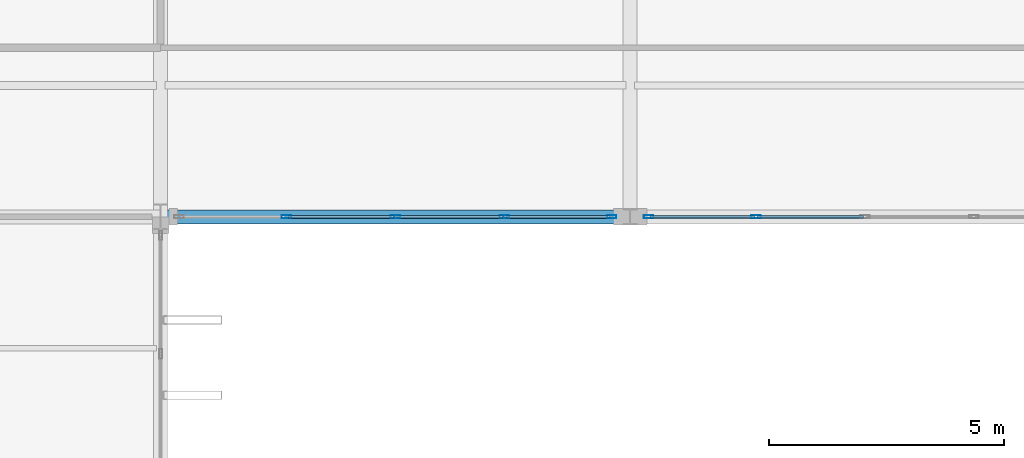
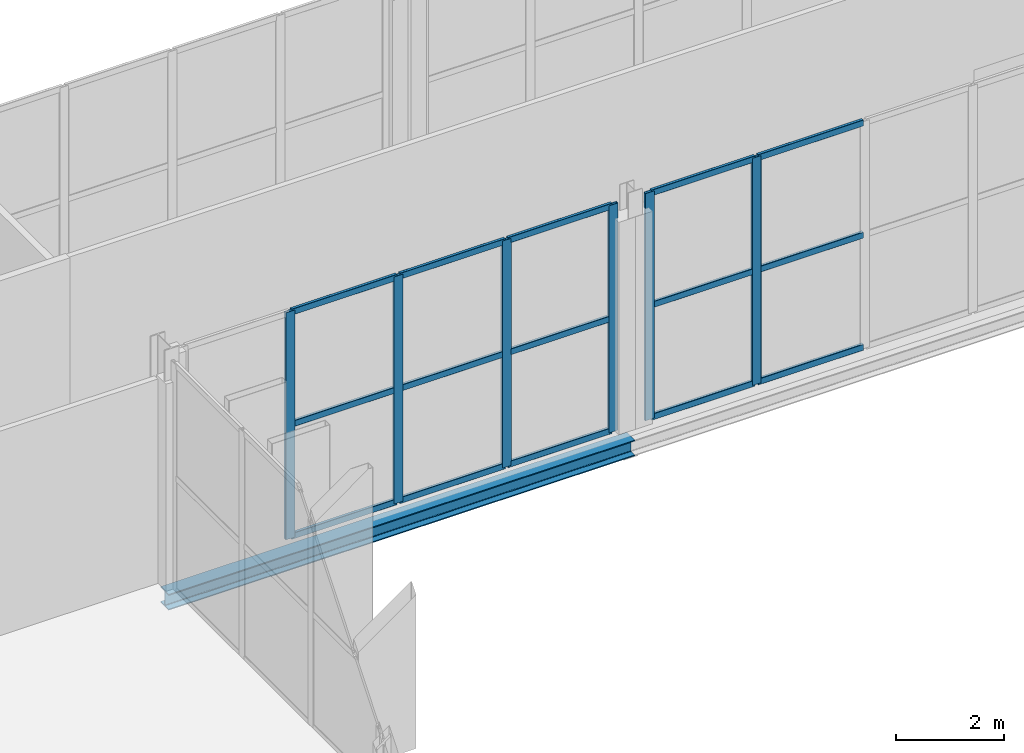
# One storey, part 83 of 147: 21 members, 1 beam, 2 elements without a shape of their own.
"""IFC4 building model written with IfcOpenShell, lengths in metres."""

from ifc_helpers import new_model, si_unit, direction, frame, origin, origin_2d, place, context, subcontext, project, spatial, hollow_rectangle, i_section, extrude, material, layer, layer_set, material_profile, profile_set, type_object, element, aggregate, save


model = new_model("IFC4")

# Units and contexts
model_context = context("Model", 3, precision=1e-05, world=origin(), true_north=direction((0.0, 1.0)))
body_context = subcontext(model_context, "Body", "Model", "MODEL_VIEW")
ifc_project = project(units=[si_unit("LENGTHUNIT", "METRE"), si_unit("AREAUNIT", "SQUARE_METRE"), si_unit("VOLUMEUNIT", "CUBIC_METRE"), si_unit("PLANEANGLEUNIT", "RADIAN"), si_unit("MASSUNIT", "GRAM", prefix="KILO")], contexts=[model_context])

# Site, building, storey
site_placement = place(None, origin())
site = spatial("IfcSite", under=ifc_project, at=site_placement, CompositionType="ELEMENT")
building_placement = place(site_placement, origin())
building = spatial("IfcBuilding", under=site, at=building_placement, Name="Vekula Escarpment Museum", CompositionType="ELEMENT")
storey_placement = place(building_placement, frame((0.0, 0.0, 7.800048828125)))
storey = spatial("IfcBuildingStorey", under=building, at=storey_placement, Name="L02", CompositionType="ELEMENT", Elevation=7.800048828125)

# Beam
ifc_material_1 = material(Name="Steel S355", Category="steel")
ifc_material_profile_1 = material_profile(ifc_material_1, i_section(OverallWidth=0.300048828125, OverallDepth=0.360107421875, WebThickness=0.012451171875, FlangeThickness=0.0224609375, FilletRadius=0.027099609375, at=origin_2d()), Name="HEB 360")
ifc_profile_set_1 = profile_set([ifc_material_profile_1], Name="Steel S355")
beam_type = type_object("IfcBeamType", Name="BM-GIRD-HEB360", PredefinedType="BEAM", material=ifc_profile_set_1)
beam_placement = place(storey_placement, frame((126.0, 68.0, -0.43994140625), z_axis=(1.0, 0.0, 0.0), x_axis=(0.0, 1.0, 0.0)))
element("IfcBeam", 1, at=beam_placement, inside=storey, type_object=beam_type, Name="Beam X L02 0901", PredefinedType="BEAM", context=body_context, shape_type="SweptSolid", body=[
    extrude(i_section(OverallWidth=0.300048828125, OverallDepth=0.360107421875, WebThickness=0.012451171875, FlangeThickness=0.0224609375, FilletRadius=0.027099609375, at=origin_2d()), origin(), (0.0, 0.0, 1.0), 10.0),
])

# Curtain wall, members
ifc_material_2 = material(Name="Aluminium thermally broken framing", Category="aluminium")
ifc_layer_1 = layer(ifc_material_2, 0.199951171875)
ifc_layer_set_1 = layer_set([ifc_layer_1], Name="Aluminium thermally broken framing")
curtain_wall_type_1 = type_object("IfcCurtainWallType", Name="CW-SYS-03", PredefinedType="NOTDEFINED", material=ifc_layer_set_1)
curtain_wall_1_placement = place(storey_placement, origin())
curtain_wall_1 = element("IfcCurtainWall", 2, at=curtain_wall_1_placement, inside=storey, type_object=curtain_wall_type_1, Name="Curtain Wall CW-L02-063", PredefinedType="NOTDEFINED")
ifc_material_3 = material(Name="Aluminium anodized mullion", Category="aluminium")
ifc_material_profile_2 = material_profile(ifc_material_3, hollow_rectangle(XDim=0.06494140625, YDim=0.199951171875, WallThickness=0.00390625, InnerFilletRadius=0.00390625, OuterFilletRadius=0.008056640625, at=origin_2d()), Name="ALU 200x65x4")
ifc_profile_set_2 = profile_set([ifc_material_profile_2], Name="Aluminium anodized mullion")
member_type_1 = type_object("IfcMemberType", Name="CW-MUL-200", PredefinedType="MULLION", material=ifc_profile_set_2)
member_1_placement = place(storey_placement, frame((128.679931640625, 68.0, 0.0), z_axis=(0.0, 0.0, 1.0), x_axis=(0.0, 1.0, 0.0)))
member_1 = element("IfcMember", 3, at=member_1_placement, type_object=member_type_1, Name="CW-03 mullion 2", PredefinedType="MULLION", context=body_context, shape_type="SweptSolid", body=[
    extrude(hollow_rectangle(XDim=0.06494140625, YDim=0.199951171875, WallThickness=0.00390625, InnerFilletRadius=0.00390625, OuterFilletRadius=0.008056640625, at=origin_2d()), origin(), (0.0, 0.0, 1.0), 5.14990234375),
])
member_2_placement = place(storey_placement, frame((131.0, 68.0, 0.0), z_axis=(0.0, 0.0, 1.0), x_axis=(0.0, 1.0, 0.0)))
member_2 = element("IfcMember", 4, at=member_2_placement, type_object=member_type_1, Name="CW-03 mullion 3", PredefinedType="MULLION", context=body_context, shape_type="SweptSolid", body=[
    extrude(hollow_rectangle(XDim=0.06494140625, YDim=0.199951171875, WallThickness=0.00390625, InnerFilletRadius=0.00390625, OuterFilletRadius=0.008056640625, at=origin_2d()), origin(), (0.0, 0.0, 1.0), 5.14990234375),
])
member_3_placement = place(storey_placement, frame((133.320068359375, 68.0, 0.0), z_axis=(0.0, 0.0, 1.0), x_axis=(0.0, 1.0, 0.0)))
member_3 = element("IfcMember", 5, at=member_3_placement, type_object=member_type_1, Name="CW-03 mullion 4", PredefinedType="MULLION", context=body_context, shape_type="SweptSolid", body=[
    extrude(hollow_rectangle(XDim=0.06494140625, YDim=0.199951171875, WallThickness=0.00390625, InnerFilletRadius=0.00390625, OuterFilletRadius=0.008056640625, at=origin_2d()), origin(), (0.0, 0.0, 1.0), 5.14990234375),
])
member_4_placement = place(storey_placement, frame((135.607421875, 68.0, 0.0), z_axis=(0.0, 0.0, 1.0), x_axis=(0.0, 1.0, 0.0)))
member_4 = element("IfcMember", 6, at=member_4_placement, type_object=member_type_1, Name="CW-03 mullion 5", PredefinedType="MULLION", context=body_context, shape_type="SweptSolid", body=[
    extrude(hollow_rectangle(XDim=0.06494140625, YDim=0.199951171875, WallThickness=0.00390625, InnerFilletRadius=0.00390625, OuterFilletRadius=0.008056640625, at=origin_2d()), origin(), (0.0, 0.0, 1.0), 5.14990234375),
])

ifc_material_4 = material(Name="Aluminium thermally broken framing", Category="aluminium")
ifc_layer_2 = layer(ifc_material_4, 0.199951171875)
ifc_layer_set_2 = layer_set([ifc_layer_2], Name="Aluminium thermally broken framing")
curtain_wall_type_2 = type_object("IfcCurtainWallType", Name="CW-SYS-04", PredefinedType="NOTDEFINED", material=ifc_layer_set_2)
curtain_wall_2_placement = place(storey_placement, origin())
curtain_wall_2 = element("IfcCurtainWall", 7, at=curtain_wall_2_placement, inside=storey, type_object=curtain_wall_type_2, Name="Curtain Wall CW-L02-064", PredefinedType="NOTDEFINED")
member_5_placement = place(storey_placement, frame((136.392578125, 68.0, 0.0), z_axis=(0.0, 0.0, 1.0), x_axis=(0.0, 1.0, 0.0)))
member_5 = element("IfcMember", 8, at=member_5_placement, type_object=member_type_1, Name="CW-04 mullion 1", PredefinedType="MULLION", context=body_context, shape_type="SweptSolid", body=[
    extrude(hollow_rectangle(XDim=0.06494140625, YDim=0.199951171875, WallThickness=0.00390625, InnerFilletRadius=0.00390625, OuterFilletRadius=0.008056640625, at=origin_2d()), origin(), (0.0, 0.0, 1.0), 5.14990234375),
])
member_6_placement = place(storey_placement, frame((138.679931640625, 68.0, 0.0), z_axis=(0.0, 0.0, 1.0), x_axis=(0.0, 1.0, 0.0)))
member_6 = element("IfcMember", 9, at=member_6_placement, type_object=member_type_1, Name="CW-04 mullion 2", PredefinedType="MULLION", context=body_context, shape_type="SweptSolid", body=[
    extrude(hollow_rectangle(XDim=0.06494140625, YDim=0.199951171875, WallThickness=0.00390625, InnerFilletRadius=0.00390625, OuterFilletRadius=0.008056640625, at=origin_2d()), origin(), (0.0, 0.0, 1.0), 5.14990234375),
])

# Member
ifc_material_5 = material(Name="Aluminium anodized transom", Category="aluminium")
ifc_material_profile_3 = material_profile(ifc_material_5, hollow_rectangle(XDim=0.06494140625, YDim=0.139892578125, WallThickness=0.00390625, InnerFilletRadius=0.00390625, OuterFilletRadius=0.008056640625, at=origin_2d()), Name="ALU 140x65x4")
ifc_profile_set_3 = profile_set([ifc_material_profile_3], Name="Aluminium anodized transom")
member_type_2 = type_object("IfcMemberType", Name="CW-TRN-140", PredefinedType="USERDEFINED", material=ifc_profile_set_3)
member_7_placement = place(storey_placement, frame((128.71240234375, 68.0, 0.032470703125), z_axis=(1.0, 0.0, 0.0), x_axis=(0.0, 1.0, 0.0)))
member_7 = element("IfcMember", 10, at=member_7_placement, type_object=member_type_2, Name="CW-03 transom 2.1", ObjectType="TRANSOM", PredefinedType="USERDEFINED", context=body_context, shape_type="SweptSolid", body=[
    extrude(hollow_rectangle(XDim=0.06494140625, YDim=0.139892578125, WallThickness=0.00390625, InnerFilletRadius=0.00390625, OuterFilletRadius=0.008056640625, at=origin_2d()), origin(), (0.0, 0.0, 1.0), 2.255126953125),
])

member_8_placement = place(storey_placement, frame((128.71240234375, 68.0, 2.574951171875), z_axis=(1.0, 0.0, 0.0), x_axis=(0.0, 1.0, 0.0)))
member_8 = element("IfcMember", 11, at=member_8_placement, type_object=member_type_2, Name="CW-03 transom 2.2", ObjectType="TRANSOM", PredefinedType="USERDEFINED", context=body_context, shape_type="SweptSolid", body=[
    extrude(hollow_rectangle(XDim=0.06494140625, YDim=0.139892578125, WallThickness=0.00390625, InnerFilletRadius=0.00390625, OuterFilletRadius=0.008056640625, at=origin_2d()), origin(), (0.0, 0.0, 1.0), 2.255126953125),
])

member_9_placement = place(storey_placement, frame((128.71240234375, 68.0, 5.117431640625), z_axis=(1.0, 0.0, 0.0), x_axis=(0.0, 1.0, 0.0)))
member_9 = element("IfcMember", 12, at=member_9_placement, type_object=member_type_2, Name="CW-03 transom 2.3", ObjectType="TRANSOM", PredefinedType="USERDEFINED", context=body_context, shape_type="SweptSolid", body=[
    extrude(hollow_rectangle(XDim=0.06494140625, YDim=0.139892578125, WallThickness=0.00390625, InnerFilletRadius=0.00390625, OuterFilletRadius=0.008056640625, at=origin_2d()), origin(), (0.0, 0.0, 1.0), 2.255126953125),
])

member_10_placement = place(storey_placement, frame((131.032470703125, 68.0, 0.032470703125), z_axis=(1.0, 0.0, 0.0), x_axis=(0.0, 1.0, 0.0)))
member_10 = element("IfcMember", 13, at=member_10_placement, type_object=member_type_2, Name="CW-03 transom 3.1", ObjectType="TRANSOM", PredefinedType="USERDEFINED", context=body_context, shape_type="SweptSolid", body=[
    extrude(hollow_rectangle(XDim=0.06494140625, YDim=0.139892578125, WallThickness=0.00390625, InnerFilletRadius=0.00390625, OuterFilletRadius=0.008056640625, at=origin_2d()), origin(), (0.0, 0.0, 1.0), 2.255126953125),
])

member_11_placement = place(storey_placement, frame((131.032470703125, 68.0, 2.574951171875), z_axis=(1.0, 0.0, 0.0), x_axis=(0.0, 1.0, 0.0)))
member_11 = element("IfcMember", 14, at=member_11_placement, type_object=member_type_2, Name="CW-03 transom 3.2", ObjectType="TRANSOM", PredefinedType="USERDEFINED", context=body_context, shape_type="SweptSolid", body=[
    extrude(hollow_rectangle(XDim=0.06494140625, YDim=0.139892578125, WallThickness=0.00390625, InnerFilletRadius=0.00390625, OuterFilletRadius=0.008056640625, at=origin_2d()), origin(), (0.0, 0.0, 1.0), 2.255126953125),
])

member_12_placement = place(storey_placement, frame((131.032470703125, 68.0, 5.117431640625), z_axis=(1.0, 0.0, 0.0), x_axis=(0.0, 1.0, 0.0)))
member_12 = element("IfcMember", 15, at=member_12_placement, type_object=member_type_2, Name="CW-03 transom 3.3", ObjectType="TRANSOM", PredefinedType="USERDEFINED", context=body_context, shape_type="SweptSolid", body=[
    extrude(hollow_rectangle(XDim=0.06494140625, YDim=0.139892578125, WallThickness=0.00390625, InnerFilletRadius=0.00390625, OuterFilletRadius=0.008056640625, at=origin_2d()), origin(), (0.0, 0.0, 1.0), 2.255126953125),
])

member_13_placement = place(storey_placement, frame((133.3525390625, 68.0, 0.032470703125), z_axis=(1.0, 0.0, 0.0), x_axis=(0.0, 1.0, 0.0)))
member_13 = element("IfcMember", 16, at=member_13_placement, type_object=member_type_2, Name="CW-03 transom 4.1", ObjectType="TRANSOM", PredefinedType="USERDEFINED", context=body_context, shape_type="SweptSolid", body=[
    extrude(hollow_rectangle(XDim=0.06494140625, YDim=0.139892578125, WallThickness=0.00390625, InnerFilletRadius=0.00390625, OuterFilletRadius=0.008056640625, at=origin_2d()), origin(), (0.0, 0.0, 1.0), 2.222412109375),
])

member_14_placement = place(storey_placement, frame((133.3525390625, 68.0, 2.574951171875), z_axis=(1.0, 0.0, 0.0), x_axis=(0.0, 1.0, 0.0)))
member_14 = element("IfcMember", 17, at=member_14_placement, type_object=member_type_2, Name="CW-03 transom 4.2", ObjectType="TRANSOM", PredefinedType="USERDEFINED", context=body_context, shape_type="SweptSolid", body=[
    extrude(hollow_rectangle(XDim=0.06494140625, YDim=0.139892578125, WallThickness=0.00390625, InnerFilletRadius=0.00390625, OuterFilletRadius=0.008056640625, at=origin_2d()), origin(), (0.0, 0.0, 1.0), 2.222412109375),
])

member_15_placement = place(storey_placement, frame((133.3525390625, 68.0, 5.117431640625), z_axis=(1.0, 0.0, 0.0), x_axis=(0.0, 1.0, 0.0)))
member_15 = element("IfcMember", 18, at=member_15_placement, type_object=member_type_2, Name="CW-03 transom 4.3", ObjectType="TRANSOM", PredefinedType="USERDEFINED", context=body_context, shape_type="SweptSolid", body=[
    extrude(hollow_rectangle(XDim=0.06494140625, YDim=0.139892578125, WallThickness=0.00390625, InnerFilletRadius=0.00390625, OuterFilletRadius=0.008056640625, at=origin_2d()), origin(), (0.0, 0.0, 1.0), 2.222412109375),
])

aggregate(curtain_wall_1, [member_1, member_2, member_3, member_4, member_7, member_8, member_9, member_10, member_11, member_12, member_13, member_14, member_15])

member_16_placement = place(storey_placement, frame((136.425048828125, 68.0, 0.032470703125), z_axis=(1.0, 0.0, 0.0), x_axis=(0.0, 1.0, 0.0)))
member_16 = element("IfcMember", 19, at=member_16_placement, type_object=member_type_2, Name="CW-04 transom 1.1", ObjectType="TRANSOM", PredefinedType="USERDEFINED", context=body_context, shape_type="SweptSolid", body=[
    extrude(hollow_rectangle(XDim=0.06494140625, YDim=0.139892578125, WallThickness=0.00390625, InnerFilletRadius=0.00390625, OuterFilletRadius=0.008056640625, at=origin_2d()), origin(), (0.0, 0.0, 1.0), 2.222412109375),
])

member_17_placement = place(storey_placement, frame((136.425048828125, 68.0, 2.574951171875), z_axis=(1.0, 0.0, 0.0), x_axis=(0.0, 1.0, 0.0)))
member_17 = element("IfcMember", 20, at=member_17_placement, type_object=member_type_2, Name="CW-04 transom 1.2", ObjectType="TRANSOM", PredefinedType="USERDEFINED", context=body_context, shape_type="SweptSolid", body=[
    extrude(hollow_rectangle(XDim=0.06494140625, YDim=0.139892578125, WallThickness=0.00390625, InnerFilletRadius=0.00390625, OuterFilletRadius=0.008056640625, at=origin_2d()), origin(), (0.0, 0.0, 1.0), 2.222412109375),
])

member_18_placement = place(storey_placement, frame((136.425048828125, 68.0, 5.117431640625), z_axis=(1.0, 0.0, 0.0), x_axis=(0.0, 1.0, 0.0)))
member_18 = element("IfcMember", 21, at=member_18_placement, type_object=member_type_2, Name="CW-04 transom 1.3", ObjectType="TRANSOM", PredefinedType="USERDEFINED", context=body_context, shape_type="SweptSolid", body=[
    extrude(hollow_rectangle(XDim=0.06494140625, YDim=0.139892578125, WallThickness=0.00390625, InnerFilletRadius=0.00390625, OuterFilletRadius=0.008056640625, at=origin_2d()), origin(), (0.0, 0.0, 1.0), 2.222412109375),
])

member_19_placement = place(storey_placement, frame((138.71240234375, 68.0, 0.032470703125), z_axis=(1.0, 0.0, 0.0), x_axis=(0.0, 1.0, 0.0)))
member_19 = element("IfcMember", 22, at=member_19_placement, type_object=member_type_2, Name="CW-04 transom 2.1", ObjectType="TRANSOM", PredefinedType="USERDEFINED", context=body_context, shape_type="SweptSolid", body=[
    extrude(hollow_rectangle(XDim=0.06494140625, YDim=0.139892578125, WallThickness=0.00390625, InnerFilletRadius=0.00390625, OuterFilletRadius=0.008056640625, at=origin_2d()), origin(), (0.0, 0.0, 1.0), 2.255126953125),
])

member_20_placement = place(storey_placement, frame((138.71240234375, 68.0, 2.574951171875), z_axis=(1.0, 0.0, 0.0), x_axis=(0.0, 1.0, 0.0)))
member_20 = element("IfcMember", 23, at=member_20_placement, type_object=member_type_2, Name="CW-04 transom 2.2", ObjectType="TRANSOM", PredefinedType="USERDEFINED", context=body_context, shape_type="SweptSolid", body=[
    extrude(hollow_rectangle(XDim=0.06494140625, YDim=0.139892578125, WallThickness=0.00390625, InnerFilletRadius=0.00390625, OuterFilletRadius=0.008056640625, at=origin_2d()), origin(), (0.0, 0.0, 1.0), 2.255126953125),
])

member_21_placement = place(storey_placement, frame((138.71240234375, 68.0, 5.117431640625), z_axis=(1.0, 0.0, 0.0), x_axis=(0.0, 1.0, 0.0)))
member_21 = element("IfcMember", 24, at=member_21_placement, type_object=member_type_2, Name="CW-04 transom 2.3", ObjectType="TRANSOM", PredefinedType="USERDEFINED", context=body_context, shape_type="SweptSolid", body=[
    extrude(hollow_rectangle(XDim=0.06494140625, YDim=0.139892578125, WallThickness=0.00390625, InnerFilletRadius=0.00390625, OuterFilletRadius=0.008056640625, at=origin_2d()), origin(), (0.0, 0.0, 1.0), 2.255126953125),
])

aggregate(curtain_wall_2, [member_5, member_6, member_16, member_17, member_18, member_19, member_20, member_21])

save(model, "model.ifc")
